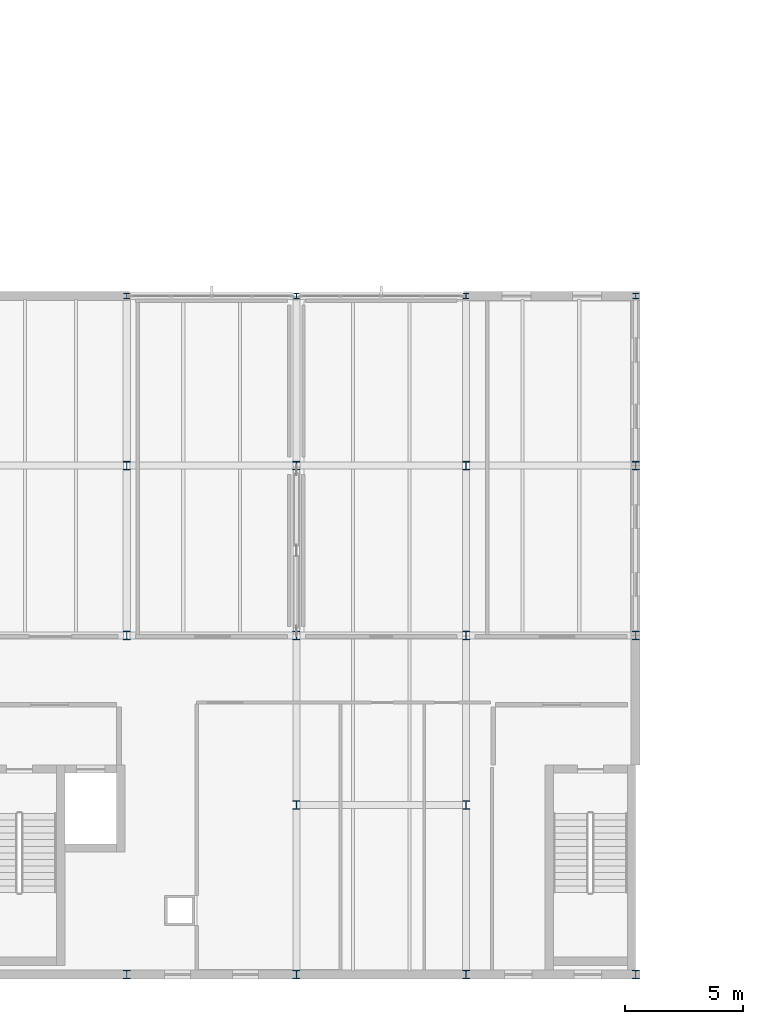
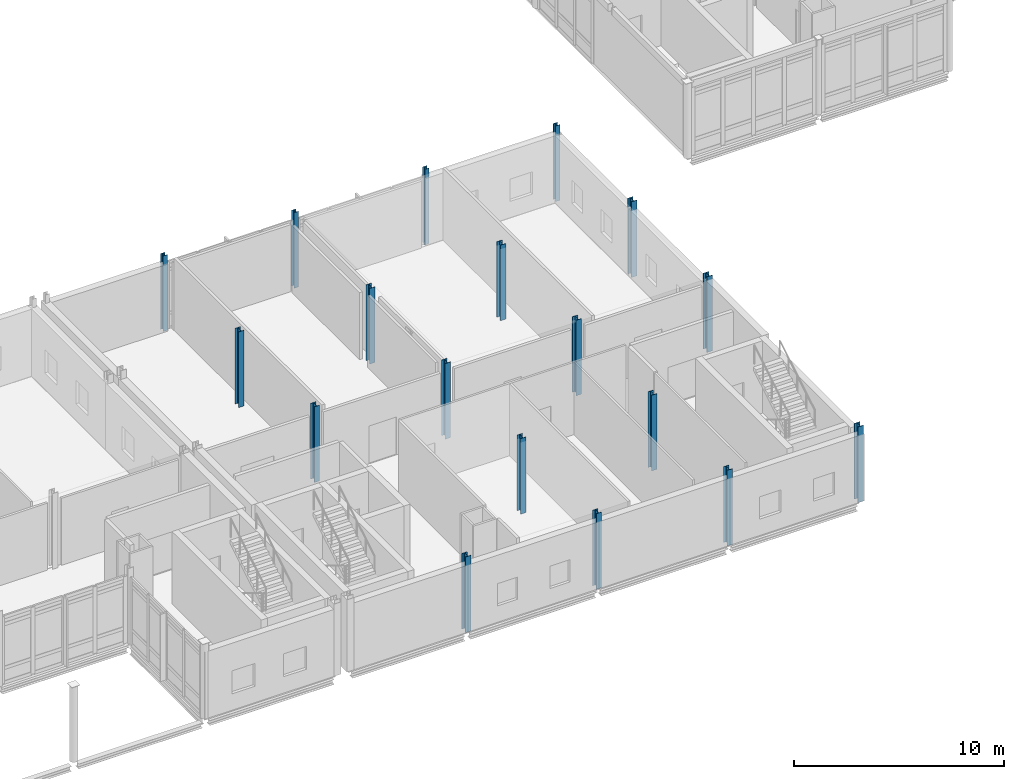
# One storey, part 5 of 72: 18 columns.
"""IFC4 building model written with IfcOpenShell, lengths in metres."""

from ifc_helpers import new_model, si_unit, direction, frame, origin, origin_2d, place, context, subcontext, project, spatial, i_section, extrude, material, material_profile, profile_set, type_object, element, save


model = new_model("IFC4")

# Units and contexts
model_context = context("Model", 3, precision=1e-05, world=origin(), true_north=direction((0.0, 1.0)))
body_context = subcontext(model_context, "Body", "Model", "MODEL_VIEW")
ifc_project = project(units=[si_unit("LENGTHUNIT", "METRE"), si_unit("AREAUNIT", "SQUARE_METRE"), si_unit("VOLUMEUNIT", "CUBIC_METRE"), si_unit("PLANEANGLEUNIT", "RADIAN"), si_unit("MASSUNIT", "GRAM", prefix="KILO")], contexts=[model_context])

# Site, building, storey
site_placement = place(None, origin())
site = spatial("IfcSite", under=ifc_project, at=site_placement, CompositionType="ELEMENT")
building_placement = place(site_placement, origin())
building = spatial("IfcBuilding", under=site, at=building_placement, Name="Zarrinpeak Specialist Clinic", CompositionType="ELEMENT")
storey_placement = place(building_placement, frame((0.0, 0.0, 9.60009765625)))
storey = spatial("IfcBuildingStorey", under=building, at=storey_placement, Name="L02", CompositionType="ELEMENT", Elevation=9.60009765625)

# Columns
ifc_material = material(Name="Steel S355", Category="steel")
ifc_material_profile_1 = material_profile(ifc_material, i_section(OverallWidth=0.239990234375, OverallDepth=0.239990234375, WebThickness=0.010009765625, FlangeThickness=0.01708984375, FilletRadius=0.02099609375, at=origin_2d()), Name="HEB 240")
ifc_profile_set_1 = profile_set([ifc_material_profile_1], Name="Steel S355")
column_type_1 = type_object("IfcColumnType", Name="COL-HEB240", PredefinedType="COLUMN", material=ifc_profile_set_1)
for number, where, z_axis, x_axis, name in (
    (1, (64.800048828125, 28.800048828125, 0.0), (0.0, 0.0, 1.0), (1.0, 0.0, 0.0), "L02 Structural Column COL-L02-118"),
    (2, (72.0, 28.800048828125, 0.0), (0.0, 0.0, 1.0), (1.0, 0.0, 0.0), "L02 Structural Column COL-L02-128"),
    (3, (79.199951171875, 28.800048828125, 0.0), (0.0, 0.0, 1.0), (1.0, 0.0, 0.0), "L02 Structural Column COL-L02-133"),
    (4, (86.39990234375, 28.800048828125, 0.0), (0.0, 0.0, 1.0), (1.0, 0.0, 0.0), "L02 Structural Column COL-L02-137"),
):
    element("IfcColumn", number, at=place(storey_placement, frame(where, z_axis=z_axis, x_axis=x_axis)), inside=storey, type_object=column_type_1, Name=name, PredefinedType="COLUMN", context=body_context, shape_type="SweptSolid", body=[
        extrude(i_section(OverallWidth=0.239990234375, OverallDepth=0.239990234375, WebThickness=0.010009765625, FlangeThickness=0.01708984375, FilletRadius=0.02099609375, at=origin_2d()), origin(), (0.0, 0.0, 1.0), 4.39990234375),
    ])
ifc_material_profile_2 = material_profile(ifc_material, i_section(OverallWidth=0.300048828125, OverallDepth=0.360107421875, WebThickness=0.012451171875, FlangeThickness=0.0224609375, FilletRadius=0.027099609375, at=origin_2d()), Name="HEB 360")
ifc_profile_set_2 = profile_set([ifc_material_profile_2], Name="Steel S355")
column_type_2 = type_object("IfcColumnType", Name="COL-HEB360", PredefinedType="COLUMN", material=ifc_profile_set_2)
for number, where, z_axis, x_axis, name in (
    (5, (64.800048828125, 0.0, 0.0), (0.0, 0.0, 1.0), (1.0, 0.0, 0.0), "L02 Structural Column COL-L02-115"),
    (6, (64.800048828125, 14.39990234375, 0.0), (0.0, 0.0, 1.0), (1.0, 0.0, 0.0), "L02 Structural Column COL-L02-116"),
    (7, (64.800048828125, 21.60009765625, 0.0), (0.0, 0.0, 1.0), (1.0, 0.0, 0.0), "L02 Structural Column COL-L02-117"),
    (8, (72.0, 0.0, 0.0), (0.0, 0.0, 1.0), (1.0, 0.0, 0.0), "L02 Structural Column COL-L02-124"),
    (9, (72.0, 7.199951171875, 0.0), (0.0, 0.0, 1.0), (1.0, 0.0, 0.0), "L02 Structural Column COL-L02-125"),
    (10, (72.0, 14.39990234375, 0.0), (0.0, 0.0, 1.0), (1.0, 0.0, 0.0), "L02 Structural Column COL-L02-126"),
    (11, (72.0, 21.60009765625, 0.0), (0.0, 0.0, 1.0), (1.0, 0.0, 0.0), "L02 Structural Column COL-L02-127"),
    (12, (79.199951171875, 0.0, 0.0), (0.0, 0.0, 1.0), (1.0, 0.0, 0.0), "L02 Structural Column COL-L02-129"),
    (13, (79.199951171875, 7.199951171875, 0.0), (0.0, 0.0, 1.0), (1.0, 0.0, 0.0), "L02 Structural Column COL-L02-130"),
    (14, (79.199951171875, 14.39990234375, 0.0), (0.0, 0.0, 1.0), (1.0, 0.0, 0.0), "L02 Structural Column COL-L02-131"),
    (15, (79.199951171875, 21.60009765625, 0.0), (0.0, 0.0, 1.0), (1.0, 0.0, 0.0), "L02 Structural Column COL-L02-132"),
    (16, (86.39990234375, 0.0, 0.0), (0.0, 0.0, 1.0), (1.0, 0.0, 0.0), "L02 Structural Column COL-L02-134"),
    (17, (86.39990234375, 14.39990234375, 0.0), (0.0, 0.0, 1.0), (1.0, 0.0, 0.0), "L02 Structural Column COL-L02-135"),
    (18, (86.39990234375, 21.60009765625, 0.0), (0.0, 0.0, 1.0), (1.0, 0.0, 0.0), "L02 Structural Column COL-L02-136"),
):
    element("IfcColumn", number, at=place(storey_placement, frame(where, z_axis=z_axis, x_axis=x_axis)), inside=storey, type_object=column_type_2, Name=name, PredefinedType="COLUMN", context=body_context, shape_type="SweptSolid", body=[
        extrude(i_section(OverallWidth=0.300048828125, OverallDepth=0.360107421875, WebThickness=0.012451171875, FlangeThickness=0.0224609375, FilletRadius=0.027099609375, at=origin_2d()), origin(), (0.0, 0.0, 1.0), 4.39990234375),
    ])

save(model, "model.ifc")
